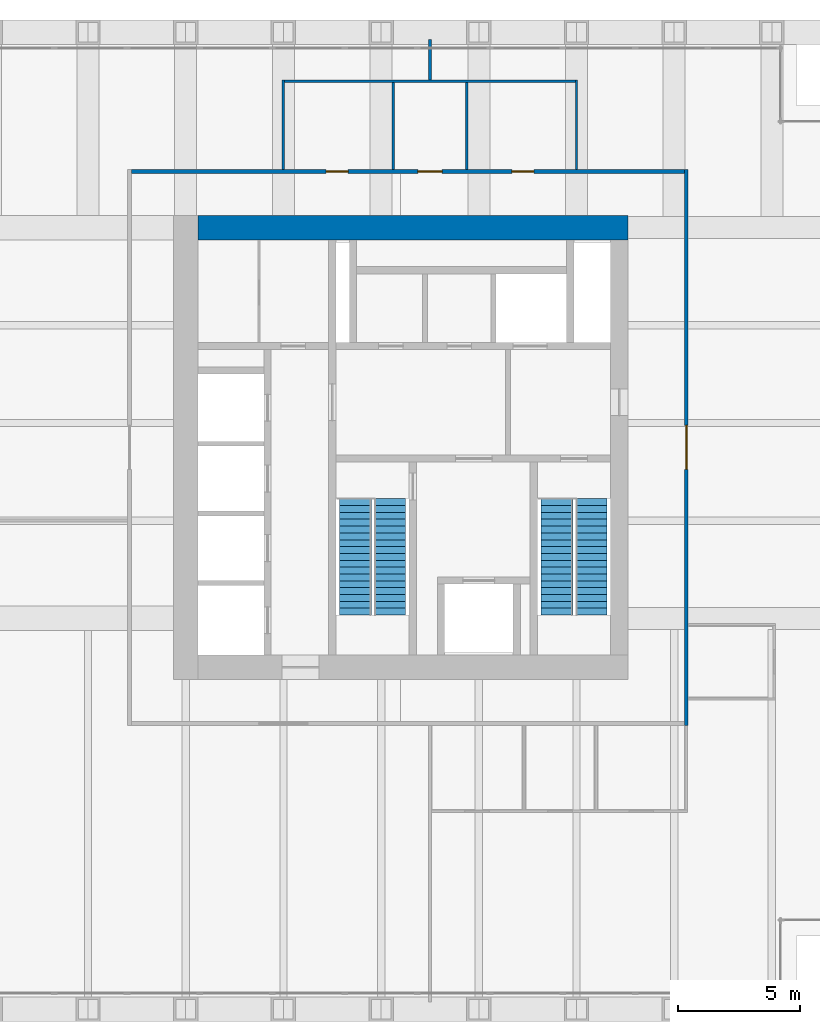
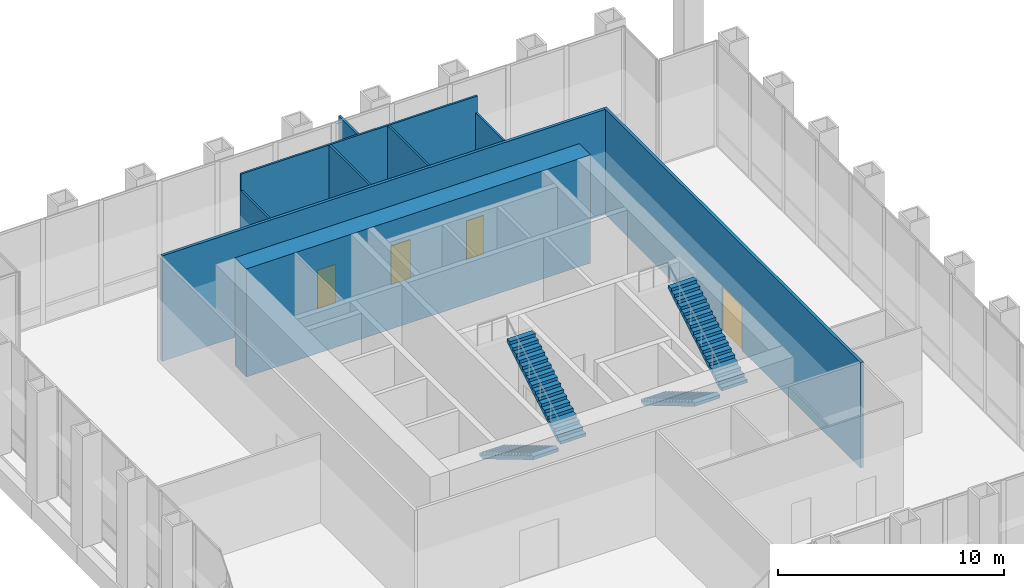
# One storey, part 11 of 12: 9 walls, 4 doors, 4 stair flights, 4 openings, 2 elements without a shape of their own.
"""IFC4 building model written with IfcOpenShell, lengths in metres."""

import ifcopenshell
import ifcopenshell.guid

model = None  # the IFC model being written
_history = None  # IfcOwnerHistory: only IFC2X3 demands one
_inside = {}  # id of a spatial element -> (the spatial element, [elements in it])
_under = {}  # id of a project, library or spatial element -> (it, [spatial elements below it])
_declared = {}  # id of a project -> (the project, [libraries it declares])
_typed = {}  # id of a type object -> (the type object, [elements of that type])
_made_of = {}  # id of a material, layer set ... -> (it, [elements and type objects made of it])


def new_model(schema):
    """Start an empty IFC model of exactly this schema.

    Asked for "IFC4X3", IfcOpenShell would pick the latest addendum, in which some entities
    have other attributes; the version numbers below select the first issue.
    IFC2X3 requires an IfcOwnerHistory on every rooted entity: one is made here for all.
    """
    global model, _history
    if schema == "IFC4X3":
        model = ifcopenshell.file(schema_version=(4, 3, 0, 0))
    else:
        model = ifcopenshell.file(schema=schema)
    _inside.clear()
    _under.clear()
    _declared.clear()
    _typed.clear()
    _made_of.clear()
    _history = None
    if model.schema == "IFC2X3":
        org = make("IfcOrganization", Name="unknown")
        user = make(
            "IfcPersonAndOrganization",
            ThePerson=make("IfcPerson", FamilyName="unknown"),
            TheOrganization=org,
        )
        app = make(
            "IfcApplication",
            ApplicationDeveloper=org,
            Version="unknown",
            ApplicationFullName="unknown",
            ApplicationIdentifier="unknown",
        )
        _history = make(
            "IfcOwnerHistory",
            OwningUser=user,
            OwningApplication=app,
            ChangeAction="ADDED",
            CreationDate=0,
        )
    return model


def make(cls, **values):
    """One entity of the class cls with the attributes given. An attribute that is None is left unset."""
    return model.create_entity(
        cls, **{name: value for name, value in values.items() if value is not None}
    )


def rooted(cls, **values):
    """An entity with a GlobalId (a new one), such as an element, a storey or a relation."""
    return make(cls, GlobalId=ifcopenshell.guid.new(), OwnerHistory=_history, **values)


def si_unit(unit_type, name, prefix=None):
    """IfcSIUnit, for example si_unit("LENGTHUNIT", "METRE", prefix="MILLI")."""
    return make("IfcSIUnit", UnitType=unit_type, Prefix=prefix, Name=name)


def assignment(units):
    """IfcUnitAssignment: the units of a project."""
    return None if units is None else make("IfcUnitAssignment", Units=units)


def point(xyz):
    """IfcCartesianPoint."""
    return None if xyz is None else make("IfcCartesianPoint", Coordinates=xyz)


def direction(xyz):
    """IfcDirection."""
    return None if xyz is None else make("IfcDirection", DirectionRatios=xyz)


def frame(location, z_axis=None, x_axis=None):
    """IfcAxis2Placement3D, a coordinate frame: its origin and axes. An axis left out is left unset."""
    return make(
        "IfcAxis2Placement3D",
        Location=point(location),
        Axis=direction(z_axis),
        RefDirection=direction(x_axis),
    )


def frame_2d(location, x_axis=None):
    """IfcAxis2Placement2D, a coordinate frame in the plane: its origin and x axis."""
    return make(
        "IfcAxis2Placement2D", Location=point(location), RefDirection=direction(x_axis)
    )


def origin():
    """The frame at (0, 0, 0) with its axes left unset."""
    return frame((0.0, 0.0, 0.0))


def place(relative_to, where):
    """IfcLocalPlacement: puts the frame where relative to a parent placement (None: the world)."""
    return make(
        "IfcLocalPlacement", PlacementRelTo=relative_to, RelativePlacement=where
    )


def context(
    kind, dimensions, precision=None, world=None, true_north=None, identifier=None
):
    """IfcGeometricRepresentationContext, for example the 3D "Model" context."""
    return make(
        "IfcGeometricRepresentationContext",
        ContextIdentifier=identifier,
        ContextType=kind,
        CoordinateSpaceDimension=dimensions,
        Precision=precision,
        WorldCoordinateSystem=world,
        TrueNorth=true_north,
    )


def subcontext(parent, identifier, kind, view, scale=None):
    """IfcGeometricRepresentationSubContext, for example "Body" below "Model"."""
    return make(
        "IfcGeometricRepresentationSubContext",
        ContextIdentifier=identifier,
        ContextType=kind,
        ParentContext=parent,
        TargetScale=scale,
        TargetView=view,
    )


def project(units=None, contexts=None):
    """IfcProject with its units and contexts."""
    return rooted(
        "IfcProject",
        Name="project",
        RepresentationContexts=contexts,
        UnitsInContext=assignment(units),
    )


def spatial(cls, under=None, at=None, **own):
    """A site, building, storey or space (cls), placed at a placement, below another one or the project."""
    s = rooted(cls, ObjectPlacement=at, **own)
    if under is not None:
        _under.setdefault(under.id(), (under, []))[1].append(s)
    return s


def polyline(points):
    """IfcPolyline through the points."""
    return make("IfcPolyline", Points=[point(p) for p in points])


def profile(cls, at=None, kind="AREA", **sizes):
    """A parametric profile (cls). Its sizes go by their IFC names, for example OverallWidth=200.0."""
    return make(cls, ProfileType=kind, Position=at, **sizes)


def rectangle(**sizes):
    """IfcRectangleProfileDef."""
    return profile("IfcRectangleProfileDef", **sizes)


def outline(outer, holes=None, kind="AREA"):
    """IfcArbitraryClosedProfileDef: a profile drawn as a closed curve; with holes, ...WithVoids."""
    if holes is None:
        return make("IfcArbitraryClosedProfileDef", ProfileType=kind, OuterCurve=outer)
    return make(
        "IfcArbitraryProfileDefWithVoids",
        ProfileType=kind,
        OuterCurve=outer,
        InnerCurves=holes,
    )


def extrude(swept, where, along, depth):
    """IfcExtrudedAreaSolid: the profile swept, set in the frame where, extruded along a direction by depth."""
    return make(
        "IfcExtrudedAreaSolid",
        SweptArea=swept,
        Position=where,
        ExtrudedDirection=direction(along),
        Depth=depth,
    )


def shape(context_of_items, identifier, shape_type, items):
    """IfcShapeRepresentation: the items that make up one representation, for example the "Body"."""
    return make(
        "IfcShapeRepresentation",
        ContextOfItems=context_of_items,
        RepresentationIdentifier=identifier,
        RepresentationType=shape_type,
        Items=items,
    )


def material(Name=None, Category=None):
    """IfcMaterial."""
    return make("IfcMaterial", Name=Name, Category=Category)


def layer(
    of_material, thickness, ventilated=None, Name=None, Category=None, Priority=None
):
    """IfcMaterialLayer: one layer of a wall or slab, of a material (None: an air gap)."""
    return make(
        "IfcMaterialLayer",
        Material=of_material,
        LayerThickness=thickness,
        IsVentilated=ventilated,
        Name=Name,
        Category=Category,
        Priority=Priority,
    )


def layer_set(layers, Name=None):
    """IfcMaterialLayerSet."""
    return make("IfcMaterialLayerSet", MaterialLayers=layers, LayerSetName=Name)


def made_of(thing, what):
    """Note that an element or type object is made of a material, layer set ...; save() writes the relation."""
    if what is not None:
        _made_of.setdefault(what.id(), (what, []))[1].append(thing)
    return thing


def type_object(cls, material=None, **own):
    """A type object (cls), such as IfcWallType, which elements share."""
    return made_of(rooted(cls, **own), material)


def element(
    cls,
    number,
    at=None,
    inside=None,
    cuts=None,
    type_object=None,
    material=None,
    context=None,
    identifier="Body",
    shape_type=None,
    held_by="IfcProductDefinitionShape",
    body=None,
    shapes=None,
    **own,
):
    """One element of the class cls, such as IfcWall. Its Tag is "e" and its number.

    at: its placement. inside: the storey or other place that contains it. cuts: it is an
    opening in that element (IfcRelVoidsElement). A single representation is given by context,
    identifier, shape_type and body (its items); several are given by shapes. held_by: the class
    of the entity that holds the representations. save() writes the other relations.
    """
    e = rooted(cls, Tag="e%d" % number, ObjectPlacement=at, **own)
    if body is not None:
        shapes = [shape(context, identifier, shape_type, body)]
    if shapes is not None:
        e.Representation = make(held_by, Representations=shapes)
    if inside is not None:
        _inside.setdefault(inside.id(), (inside, []))[1].append(e)
    if cuts is not None:
        rooted(
            "IfcRelVoidsElement", RelatingBuildingElement=cuts, RelatedOpeningElement=e
        )
    if type_object is not None:
        _typed.setdefault(type_object.id(), (type_object, []))[1].append(e)
    return made_of(e, material)


def fill(opening, filler):
    """IfcRelFillsElement: the door or window that sits in an opening."""
    return rooted(
        "IfcRelFillsElement",
        RelatingOpeningElement=opening,
        RelatedBuildingElement=filler,
    )


def aggregate(whole, parts):
    """IfcRelAggregates: a whole, such as a stair, and the parts it consists of."""
    return rooted("IfcRelAggregates", RelatingObject=whole, RelatedObjects=parts)


def save(model, path):
    """Write the relations noted so far, then the file.

    IfcRelAggregates (storeys below a building ...), IfcRelContainedInSpatialStructure (elements
    in a storey), IfcRelDefinesByType, IfcRelAssociatesMaterial and IfcRelDeclares: one each for
    every whole, place, type object, material and project.
    """
    for whole, parts in _under.values():
        aggregate(whole, parts)
    for where, things in _inside.values():
        rooted(
            "IfcRelContainedInSpatialStructure",
            RelatedElements=things,
            RelatingStructure=where,
        )
    for kind, things in _typed.values():
        rooted("IfcRelDefinesByType", RelatedObjects=things, RelatingType=kind)
    for what, things in _made_of.values():
        rooted("IfcRelAssociatesMaterial", RelatedObjects=things, RelatingMaterial=what)
    for by, libraries in _declared.values():
        rooted("IfcRelDeclares", RelatingContext=by, RelatedDefinitions=libraries)
    model.write(path)


model = new_model("IFC4")

# Units and contexts
model_context = context("Model", 3, precision=1e-05, world=origin(), true_north=direction((0.0, 1.0)))
body_context = subcontext(model_context, "Body", "Model", "MODEL_VIEW")
ifc_project = project(units=[si_unit("LENGTHUNIT", "METRE"), si_unit("AREAUNIT", "SQUARE_METRE"), si_unit("VOLUMEUNIT", "CUBIC_METRE"), si_unit("PLANEANGLEUNIT", "RADIAN"), si_unit("MASSUNIT", "GRAM", prefix="KILO")], contexts=[model_context])

# Site, building, storey
site_placement = place(None, origin())
site = spatial("IfcSite", under=ifc_project, at=site_placement, CompositionType="ELEMENT")
building_placement = place(site_placement, origin())
building = spatial("IfcBuilding", under=site, at=building_placement, Name="Rimbunsela Tower", CompositionType="ELEMENT")
storey_placement = place(building_placement, frame((0.0, 0.0, 298.199951171875)))
storey = spatial("IfcBuildingStorey", under=building, at=storey_placement, Name="L72", CompositionType="ELEMENT", Elevation=298.199951171875)

# Wall
ifc_material_1 = material(Name="Concrete fc' 80 MPa", Category="concrete")
ifc_layer_1 = layer(ifc_material_1, 1.0)
ifc_layer_set_1 = layer_set([ifc_layer_1], Name="Core wall 1000")
wall_type_1 = type_object("IfcWallType", Name="Core wall 1000", PredefinedType="SHEAR", material=ifc_layer_set_1)
wall_1_placement = place(storey_placement, frame((18.5, 36.0, -0.14990234375), z_axis=(0.0, 0.0, 1.0), x_axis=(1.0, 0.0, 0.0)))
element("IfcWall", 1, at=wall_1_placement, inside=storey, type_object=wall_type_1, Name="Core wall north", PredefinedType="SHEAR", context=body_context, shape_type="SweptSolid", body=[
    extrude(rectangle(XDim=17.60009765625, YDim=1.0, at=frame_2d((8.800048828125, 0.0))), origin(), (0.0, 0.0, 1.0), 5.849853515625),
])

# Wall, opening, door
ifc_material_2 = material(Name="Fire-rated gypsum board on steel studs, EI 60", Category="steel")
ifc_layer_2 = layer(ifc_material_2, 0.14990234375)
ifc_layer_set_2 = layer_set([ifc_layer_2], Name="Rated corridor wall 150")
wall_type_2 = type_object("IfcWallType", Name="Rated corridor wall 150", PredefinedType="PARTITIONING", material=ifc_layer_set_2)
wall_2_placement = place(storey_placement, frame((38.5, 15.625, 0.0), z_axis=(0.0, 0.0, 1.0), x_axis=(0.0, 1.0, 0.0)))
wall_2 = element("IfcWall", 2, at=wall_2_placement, inside=storey, type_object=wall_type_2, Name="Corridor wall east", PredefinedType="PARTITIONING", context=body_context, shape_type="SweptSolid", body=[
    extrude(rectangle(XDim=22.75, YDim=0.14990234375, at=frame_2d((11.375, 0.0))), origin(), (0.0, 0.0, 1.0), 5.699951171875),
])
opening_1_placement = place(wall_2_placement, frame((10.47509765625, 0.0, 0.0)))
opening_1 = element("IfcOpeningElement", 3, at=opening_1_placement, cuts=wall_2, Name="Opening D02", PredefinedType="OPENING", context=body_context, shape_type="SweptSolid", body=[
    extrude(rectangle(XDim=1.800048828125, YDim=2.39990234375, at=frame_2d((0.89990234375, 1.199951171875))), frame((0.0, 0.0849609375, 0.0), z_axis=(0.0, -1.0, 0.0), x_axis=(1.0, 0.0, 0.0)), (0.0, 0.0, 1.0), 0.169921875),
])
ifc_material_3 = material(Name="Timber door", Category="wood")
door_type_1 = type_object("IfcDoorType", Name="Corridor door 1800", OperationType="DOUBLE_DOOR_DOUBLE_SWING", PredefinedType="DOOR", material=ifc_material_3)
door_1_placement = place(opening_1_placement, origin())
door_1 = element("IfcDoor", 4, at=door_1_placement, inside=storey, type_object=door_type_1, Name="Visitor centre door", OperationType="DOUBLE_DOOR_DOUBLE_SWING", OverallHeight=2.39990234375, OverallWidth=1.800048828125, PredefinedType="DOOR", context=body_context, shape_type="SweptSolid", body=[
    extrude(rectangle(XDim=1.800048828125, YDim=2.39990234375, at=frame_2d((0.89990234375, 1.199951171875))), frame((0.0, 0.02490234375, 0.0), z_axis=(0.0, -1.0, 0.0), x_axis=(1.0, 0.0, 0.0)), (0.0, 0.0, 1.0), 0.050048828125),
])
fill(opening_1, door_1)

# Wall, openings, doors
wall_3_placement = place(storey_placement, frame((15.77490234375, 38.300048828125, 0.0), z_axis=(0.0, 0.0, 1.0), x_axis=(1.0, 0.0, 0.0)))
wall_3 = element("IfcWall", 5, at=wall_3_placement, inside=storey, type_object=wall_type_2, Name="Corridor wall north", PredefinedType="PARTITIONING", context=body_context, shape_type="SweptSolid", body=[
    extrude(rectangle(XDim=22.650146484375, YDim=0.14990234375, at=frame_2d((11.3251953125, 0.0))), origin(), (0.0, 0.0, 1.0), 5.699951171875),
])
opening_2_placement = place(wall_3_placement, frame((7.97509765625, 0.0, 0.0)))
opening_2 = element("IfcOpeningElement", 6, at=opening_2_placement, cuts=wall_3, Name="Opening D04", PredefinedType="OPENING", context=body_context, shape_type="SweptSolid", body=[
    extrude(rectangle(XDim=0.89990234375, YDim=2.10009765625, at=frame_2d((0.449951171875, 1.050048828125))), frame((0.0, 0.0849609375, 0.0), z_axis=(0.0, -1.0, 0.0), x_axis=(1.0, 0.0, 0.0)), (0.0, 0.0, 1.0), 0.169921875),
])
opening_3_placement = place(wall_3_placement, frame((11.72509765625, 0.0, 0.0)))
opening_3 = element("IfcOpeningElement", 7, at=opening_3_placement, cuts=wall_3, Name="Opening D05", PredefinedType="OPENING", context=body_context, shape_type="SweptSolid", body=[
    extrude(rectangle(XDim=1.0, YDim=2.10009765625, at=frame_2d((0.5, 1.050048828125))), frame((0.0, 0.0849609375, 0.0), z_axis=(0.0, -1.0, 0.0), x_axis=(1.0, 0.0, 0.0)), (0.0, 0.0, 1.0), 0.169921875),
])
opening_4_placement = place(wall_3_placement, frame((15.574951171875, 0.0, 0.0)))
opening_4 = element("IfcOpeningElement", 8, at=opening_4_placement, cuts=wall_3, Name="Opening D04", PredefinedType="OPENING", context=body_context, shape_type="SweptSolid", body=[
    extrude(rectangle(XDim=0.89990234375, YDim=2.10009765625, at=frame_2d((0.449951171875, 1.050048828125))), frame((0.0, 0.0849609375, 0.0), z_axis=(0.0, -1.0, 0.0), x_axis=(1.0, 0.0, 0.0)), (0.0, 0.0, 1.0), 0.169921875),
])
ifc_material_4 = material(Name="Timber door", Category="wood")
door_type_2 = type_object("IfcDoorType", Name="Accessible WC door 1000", OperationType="SLIDING_TO_LEFT", PredefinedType="DOOR", material=ifc_material_4)
door_2_placement = place(opening_3_placement, origin())
door_2 = element("IfcDoor", 9, at=door_2_placement, inside=storey, type_object=door_type_2, Name="Accessible WC door", OperationType="SLIDING_TO_LEFT", OverallHeight=2.10009765625, OverallWidth=1.0, PredefinedType="DOOR", context=body_context, shape_type="SweptSolid", body=[
    extrude(rectangle(XDim=1.0, YDim=2.10009765625, at=frame_2d((0.5, 1.050048828125))), frame((0.0, 0.02490234375, 0.0), z_axis=(0.0, -1.0, 0.0), x_axis=(1.0, 0.0, 0.0)), (0.0, 0.0, 1.0), 0.050048828125),
])
fill(opening_3, door_2)
ifc_material_5 = material(Name="Timber door", Category="wood")
door_type_3 = type_object("IfcDoorType", Name="Toilet door 900", OperationType="SINGLE_SWING_LEFT", PredefinedType="DOOR", material=ifc_material_5)
door_3_placement = place(opening_2_placement, origin())
door_3 = element("IfcDoor", 10, at=door_3_placement, inside=storey, type_object=door_type_3, Name="Female WC door", OperationType="SINGLE_SWING_LEFT", OverallHeight=2.10009765625, OverallWidth=0.89990234375, PredefinedType="DOOR", context=body_context, shape_type="SweptSolid", body=[
    extrude(rectangle(XDim=0.89990234375, YDim=2.10009765625, at=frame_2d((0.449951171875, 1.050048828125))), frame((0.0, 0.02490234375, 0.0), z_axis=(0.0, -1.0, 0.0), x_axis=(1.0, 0.0, 0.0)), (0.0, 0.0, 1.0), 0.050048828125),
])
fill(opening_2, door_3)
door_4_placement = place(opening_4_placement, origin())
door_4 = element("IfcDoor", 11, at=door_4_placement, inside=storey, type_object=door_type_3, Name="Male WC door", OperationType="SINGLE_SWING_LEFT", OverallHeight=2.10009765625, OverallWidth=0.89990234375, PredefinedType="DOOR", context=body_context, shape_type="SweptSolid", body=[
    extrude(rectangle(XDim=0.89990234375, YDim=2.10009765625, at=frame_2d((0.449951171875, 1.050048828125))), frame((0.0, 0.02490234375, 0.0), z_axis=(0.0, -1.0, 0.0), x_axis=(1.0, 0.0, 0.0)), (0.0, 0.0, 1.0), 0.050048828125),
])
fill(opening_4, door_4)

# Walls
ifc_material_6 = material(Name="Gypsum board on steel studs", Category="steel")
ifc_layer_3 = layer(ifc_material_6, 0.1201171875)
ifc_layer_set_3 = layer_set([ifc_layer_3], Name="Tenancy partition 120")
wall_type_3 = type_object("IfcWallType", Name="Tenancy partition 120", PredefinedType="PARTITIONING", material=ifc_layer_set_3)
wall_4_placement = place(storey_placement, frame((28.0, 42.050048828125, 0.0), z_axis=(0.0, 0.0, 1.0), x_axis=(0.0, 1.0, 0.0)))
element("IfcWall", 12, at=wall_4_placement, inside=storey, type_object=wall_type_3, Name="Tenancy partition north", PredefinedType="PARTITIONING", context=body_context, shape_type="SweptSolid", body=[
    extrude(rectangle(XDim=1.64990234375, YDim=0.1201171875, at=frame_2d((0.824951171875, 0.0))), origin(), (0.0, 0.0, 1.0), 5.699951171875),
])
ifc_material_7 = material(Name="Concrete blockwork", Category="masonry")
ifc_layer_4 = layer(ifc_material_7, 0.10009765625)
ifc_layer_set_4 = layer_set([ifc_layer_4], Name="Toilet partition 100")
wall_type_4 = type_object("IfcWallType", Name="Toilet partition 100", PredefinedType="PARTITIONING", material=ifc_layer_set_4)
for number, where, z_axis, x_axis, name in (
    (13, (22.0, 38.375, 0.0), (0.0, 0.0, 1.0), (0.0, 1.0, 0.0), "Toilet block wall west"),
    (14, (34.0, 38.375, 0.0), (0.0, 0.0, 1.0), (0.0, 1.0, 0.0), "Toilet block wall east"),
):
    element("IfcWall", number, at=place(storey_placement, frame(where, z_axis=z_axis, x_axis=x_axis)), inside=storey, type_object=wall_type_4, Name=name, PredefinedType="PARTITIONING", context=body_context, shape_type="SweptSolid", body=[
        extrude(rectangle(XDim=3.675048828125, YDim=0.10009765625, at=frame_2d((1.83740234375, 0.0))), origin(), (0.0, 0.0, 1.0), 4.800048828125),
    ])
wall_5_placement = place(storey_placement, frame((21.949951171875, 42.0, 0.0), z_axis=(0.0, 0.0, 1.0), x_axis=(1.0, 0.0, 0.0)))
element("IfcWall", 15, at=wall_5_placement, inside=storey, type_object=wall_type_4, Name="Toilet block wall north", PredefinedType="PARTITIONING", context=body_context, shape_type="SweptSolid", body=[
    extrude(rectangle(XDim=12.10009765625, YDim=0.10009765625, at=frame_2d((6.050048828125, 0.0))), origin(), (0.0, 0.0, 1.0), 5.699951171875),
])
for number, where, z_axis, x_axis, name in (
    (16, (26.5, 38.375, 0.0), (0.0, 0.0, 1.0), (0.0, 1.0, 0.0), "Toilet partition"),
    (17, (29.5, 38.375, 0.0), (0.0, 0.0, 1.0), (0.0, 1.0, 0.0), "Toilet partition"),
):
    element("IfcWall", number, at=place(storey_placement, frame(where, z_axis=z_axis, x_axis=x_axis)), inside=storey, type_object=wall_type_4, Name=name, PredefinedType="PARTITIONING", context=body_context, shape_type="SweptSolid", body=[
        extrude(rectangle(XDim=3.574951171875, YDim=0.10009765625, at=frame_2d((1.78759765625, 0.0))), origin(), (0.0, 0.0, 1.0), 5.699951171875),
    ])

# Stair, stair flights
ifc_material_8 = material(Name="Concrete fc' 35 MPa", Category="concrete")
stair_type = type_object("IfcStairType", Name="Exit stair 36 risers", PredefinedType="HALF_TURN_STAIR", material=ifc_material_8)
stair_1_placement = place(storey_placement, origin())
stair_1 = element("IfcStair", 18, at=stair_1_placement, inside=storey, type_object=stair_type, Name="Exit stair A L72", PredefinedType="HALF_TURN_STAIR")
ifc_material_9 = material(Name="Concrete fc' 35 MPa", Category="concrete")
stair_flight_type = type_object("IfcStairFlightType", Name="Stair flight 18 risers 167", PredefinedType="STRAIGHT", material=ifc_material_9)
stair_flight_1_placement = place(storey_placement, frame((24.949951171875, 24.89990234375, 0.0), z_axis=(0.0, 0.0, 1.0), x_axis=(0.0, -1.0, 0.0)))
stair_flight_1 = element("IfcStairFlight", 19, at=stair_flight_1_placement, type_object=stair_flight_type, Name="ST-A flight 1", NumberOfRisers=18, NumberOfTreads=17, PredefinedType="STRAIGHT", RiserHeight=0.166666667, TreadLength=0.28, context=body_context, shape_type="SweptSolid", body=[
    extrude(outline(polyline([(0.0, 0.0), (0.0, 0.166748046875), (0.280029296875, 0.166748046875), (0.280029296875, 0.333251953125), (0.56005859375, 0.333251953125), (0.56005859375, 0.5), (0.840087890625, 0.5), (0.840087890625, 0.666748046875), (1.1201171875, 0.666748046875), (1.1201171875, 0.833251953125), (1.39990234375, 0.833251953125), (1.39990234375, 1.0), (1.679931640625, 1.0), (1.679931640625, 1.166748046875), (1.9599609375, 1.166748046875), (1.9599609375, 1.333251953125), (2.239990234375, 1.333251953125), (2.239990234375, 1.5), (2.52001953125, 1.5), (2.52001953125, 1.666748046875), (2.800048828125, 1.666748046875), (2.800048828125, 1.833251953125), (3.080078125, 1.833251953125), (3.080078125, 2.0), (3.360107421875, 2.0), (3.360107421875, 2.166748046875), (3.639892578125, 2.166748046875), (3.639892578125, 2.333251953125), (3.919921875, 2.333251953125), (3.919921875, 2.5), (4.199951171875, 2.5), (4.199951171875, 2.666748046875), (4.47998046875, 2.666748046875), (4.47998046875, 2.833251953125), (4.760009765625, 2.833251953125), (4.760009765625, 3.0), (4.760009765625, 2.658935546875), (0.29296875, 0.0), (0.0, 0.0)])), frame((0.0, 0.64990234375, 0.0), z_axis=(0.0, -1.0, 0.0), x_axis=(1.0, 0.0, 0.0)), (0.0, 0.0, 1.0), 1.300048828125),
])
stair_flight_2_placement = place(storey_placement, frame((26.35009765625, 20.139892578125, 3.0), z_axis=(0.0, 0.0, 1.0), x_axis=(0.0, 1.0, 0.0)))
stair_flight_2 = element("IfcStairFlight", 20, at=stair_flight_2_placement, type_object=stair_flight_type, Name="ST-A flight 2", NumberOfRisers=18, NumberOfTreads=17, PredefinedType="STRAIGHT", RiserHeight=0.166666667, TreadLength=0.28, context=body_context, shape_type="SweptSolid", body=[
    extrude(outline(polyline([(0.0, 0.0), (0.0, 0.166748046875), (0.280029296875, 0.166748046875), (0.280029296875, 0.333251953125), (0.56005859375, 0.333251953125), (0.56005859375, 0.5), (0.840087890625, 0.5), (0.840087890625, 0.666748046875), (1.1201171875, 0.666748046875), (1.1201171875, 0.833251953125), (1.39990234375, 0.833251953125), (1.39990234375, 1.0), (1.679931640625, 1.0), (1.679931640625, 1.166748046875), (1.9599609375, 1.166748046875), (1.9599609375, 1.333251953125), (2.239990234375, 1.333251953125), (2.239990234375, 1.5), (2.52001953125, 1.5), (2.52001953125, 1.666748046875), (2.800048828125, 1.666748046875), (2.800048828125, 1.833251953125), (3.080078125, 1.833251953125), (3.080078125, 2.0), (3.360107421875, 2.0), (3.360107421875, 2.166748046875), (3.639892578125, 2.166748046875), (3.639892578125, 2.333251953125), (3.919921875, 2.333251953125), (3.919921875, 2.5), (4.199951171875, 2.5), (4.199951171875, 2.666748046875), (4.47998046875, 2.666748046875), (4.47998046875, 2.833251953125), (4.760009765625, 2.833251953125), (4.760009765625, 3.0), (4.760009765625, 2.658935546875), (0.29296875, 0.0), (0.0, 0.0)])), frame((0.0, 0.64990234375, 0.0), z_axis=(0.0, -1.0, 0.0), x_axis=(1.0, 0.0, 0.0)), (0.0, 0.0, 1.0), 1.300048828125),
])
aggregate(stair_1, [stair_flight_1, stair_flight_2])

stair_2_placement = place(storey_placement, origin())
stair_2 = element("IfcStair", 21, at=stair_2_placement, inside=storey, type_object=stair_type, Name="Exit stair B L72", PredefinedType="HALF_TURN_STAIR")
stair_flight_3_placement = place(storey_placement, frame((33.199951171875, 24.89990234375, 0.0), z_axis=(0.0, 0.0, 1.0), x_axis=(0.0, -1.0, 0.0)))
stair_flight_3 = element("IfcStairFlight", 22, at=stair_flight_3_placement, type_object=stair_flight_type, Name="ST-B flight 1", NumberOfRisers=18, NumberOfTreads=17, PredefinedType="STRAIGHT", RiserHeight=0.166666667, TreadLength=0.28, context=body_context, shape_type="SweptSolid", body=[
    extrude(outline(polyline([(0.0, 0.0), (0.0, 0.166748046875), (0.280029296875, 0.166748046875), (0.280029296875, 0.333251953125), (0.56005859375, 0.333251953125), (0.56005859375, 0.5), (0.840087890625, 0.5), (0.840087890625, 0.666748046875), (1.1201171875, 0.666748046875), (1.1201171875, 0.833251953125), (1.39990234375, 0.833251953125), (1.39990234375, 1.0), (1.679931640625, 1.0), (1.679931640625, 1.166748046875), (1.9599609375, 1.166748046875), (1.9599609375, 1.333251953125), (2.239990234375, 1.333251953125), (2.239990234375, 1.5), (2.52001953125, 1.5), (2.52001953125, 1.666748046875), (2.800048828125, 1.666748046875), (2.800048828125, 1.833251953125), (3.080078125, 1.833251953125), (3.080078125, 2.0), (3.360107421875, 2.0), (3.360107421875, 2.166748046875), (3.639892578125, 2.166748046875), (3.639892578125, 2.333251953125), (3.919921875, 2.333251953125), (3.919921875, 2.5), (4.199951171875, 2.5), (4.199951171875, 2.666748046875), (4.47998046875, 2.666748046875), (4.47998046875, 2.833251953125), (4.760009765625, 2.833251953125), (4.760009765625, 3.0), (4.760009765625, 2.658935546875), (0.29296875, 0.0), (0.0, 0.0)])), frame((0.0, 0.64990234375, 0.0), z_axis=(0.0, -1.0, 0.0), x_axis=(1.0, 0.0, 0.0)), (0.0, 0.0, 1.0), 1.300048828125),
])
stair_flight_4_placement = place(storey_placement, frame((34.60009765625, 20.139892578125, 3.0), z_axis=(0.0, 0.0, 1.0), x_axis=(0.0, 1.0, 0.0)))
stair_flight_4 = element("IfcStairFlight", 23, at=stair_flight_4_placement, type_object=stair_flight_type, Name="ST-B flight 2", NumberOfRisers=18, NumberOfTreads=17, PredefinedType="STRAIGHT", RiserHeight=0.166666667, TreadLength=0.28, context=body_context, shape_type="SweptSolid", body=[
    extrude(outline(polyline([(0.0, 0.0), (0.0, 0.166748046875), (0.280029296875, 0.166748046875), (0.280029296875, 0.333251953125), (0.56005859375, 0.333251953125), (0.56005859375, 0.5), (0.840087890625, 0.5), (0.840087890625, 0.666748046875), (1.1201171875, 0.666748046875), (1.1201171875, 0.833251953125), (1.39990234375, 0.833251953125), (1.39990234375, 1.0), (1.679931640625, 1.0), (1.679931640625, 1.166748046875), (1.9599609375, 1.166748046875), (1.9599609375, 1.333251953125), (2.239990234375, 1.333251953125), (2.239990234375, 1.5), (2.52001953125, 1.5), (2.52001953125, 1.666748046875), (2.800048828125, 1.666748046875), (2.800048828125, 1.833251953125), (3.080078125, 1.833251953125), (3.080078125, 2.0), (3.360107421875, 2.0), (3.360107421875, 2.166748046875), (3.639892578125, 2.166748046875), (3.639892578125, 2.333251953125), (3.919921875, 2.333251953125), (3.919921875, 2.5), (4.199951171875, 2.5), (4.199951171875, 2.666748046875), (4.47998046875, 2.666748046875), (4.47998046875, 2.833251953125), (4.760009765625, 2.833251953125), (4.760009765625, 3.0), (4.760009765625, 2.658935546875), (0.29296875, 0.0), (0.0, 0.0)])), frame((0.0, 0.64990234375, 0.0), z_axis=(0.0, -1.0, 0.0), x_axis=(1.0, 0.0, 0.0)), (0.0, 0.0, 1.0), 1.300048828125),
])
aggregate(stair_2, [stair_flight_3, stair_flight_4])

save(model, "model.ifc")
